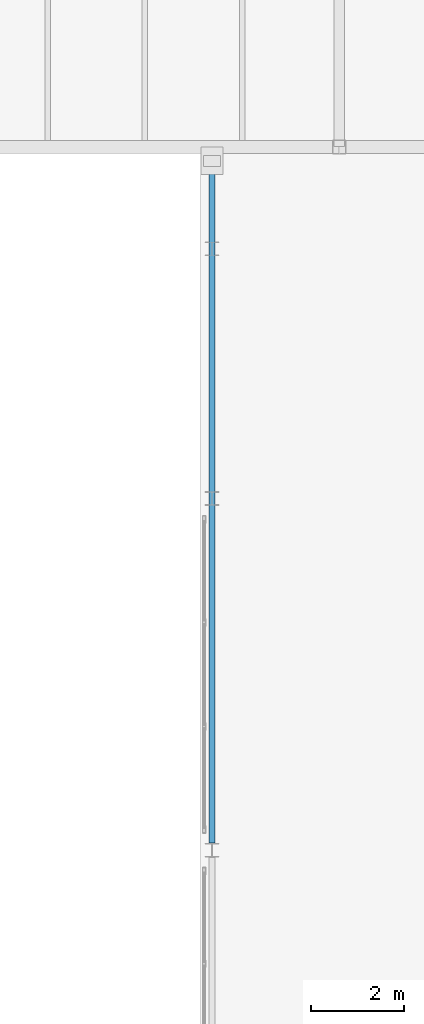
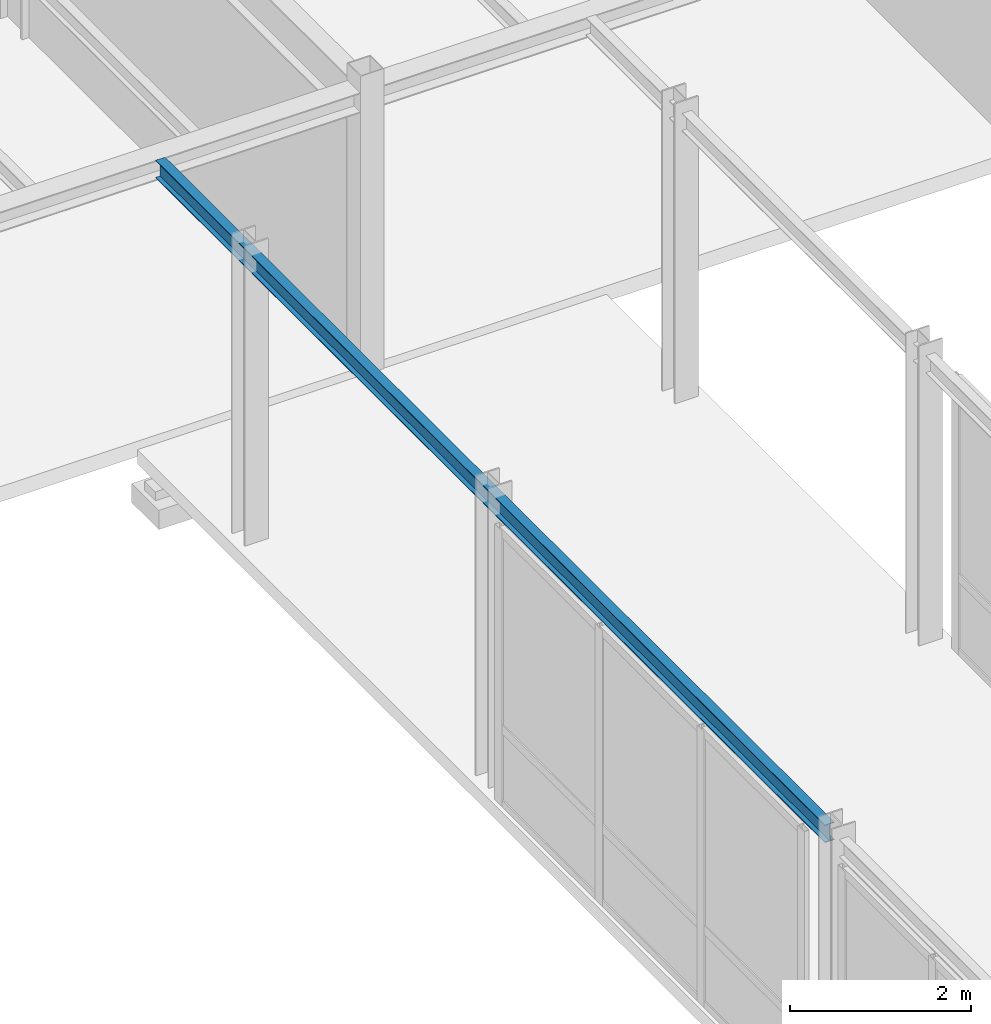
# One storey, part 83 of 165: 1 beam.
"""IFC4 building model written with IfcOpenShell, lengths in metres."""

from ifc_helpers import new_model, si_unit, direction, frame, origin, origin_2d, place, context, subcontext, project, spatial, i_section, extrude, material, material_profile, profile_set, type_object, element, save


model = new_model("IFC4")

# Units and contexts
model_context = context("Model", 3, precision=1e-05, world=origin(), true_north=direction((0.0, 1.0)))
body_context = subcontext(model_context, "Body", "Model", "MODEL_VIEW")
ifc_project = project(units=[si_unit("LENGTHUNIT", "METRE"), si_unit("AREAUNIT", "SQUARE_METRE"), si_unit("VOLUMEUNIT", "CUBIC_METRE"), si_unit("PLANEANGLEUNIT", "RADIAN"), si_unit("MASSUNIT", "GRAM", prefix="KILO")], contexts=[model_context])

# Site, building, storey
site_placement = place(None, origin())
site = spatial("IfcSite", under=ifc_project, at=site_placement, CompositionType="ELEMENT")
building_placement = place(site_placement, origin())
building = spatial("IfcBuilding", under=site, at=building_placement, Name="Montecoro Central Library", CompositionType="ELEMENT")
storey_placement = place(building_placement, frame((0.0, 0.0, 5.10009765625)))
storey = spatial("IfcBuildingStorey", under=building, at=storey_placement, Name="L01", CompositionType="ELEMENT", Elevation=5.10009765625)

# Beam
ifc_material = material(Name="Steel S355", Category="steel")
ifc_material_profile = material_profile(ifc_material, i_section(OverallWidth=0.1201171875, OverallDepth=0.239990234375, WebThickness=0.006103515625, FlangeThickness=0.009765625, at=origin_2d()), Name="IPE 240")
ifc_profile_set = profile_set([ifc_material_profile], Name="Steel S355")
beam_type = type_object("IfcBeamType", Name="BM-SP-IPE240", PredefinedType="SPANDREL", material=ifc_profile_set)
beam_placement = place(storey_placement, frame((88.85009765625, 65.9599609375, 3.77490234375), z_axis=(0.0, 1.0, 0.0), x_axis=(-1.0, 0.0, 0.0)))
element("IfcBeam", 1, at=beam_placement, inside=storey, type_object=beam_type, Name="BR-N-L02-BM-W2", PredefinedType="SPANDREL", context=body_context, shape_type="SweptSolid", body=[
    extrude(i_section(OverallWidth=0.1201171875, OverallDepth=0.239990234375, WebThickness=0.006103515625, FlangeThickness=0.009765625, at=origin_2d()), origin(), (0.0, 0.0, 1.0), 14.820068359375),
])

save(model, "model.ifc")
